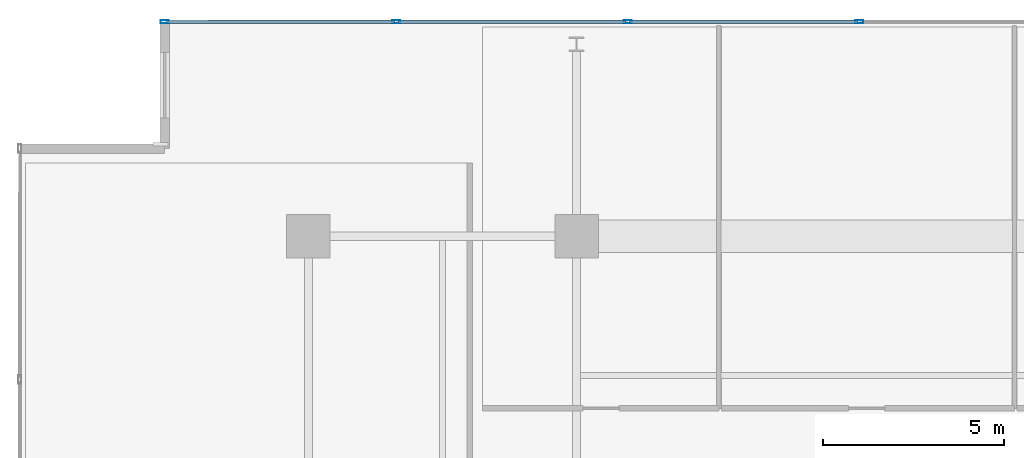
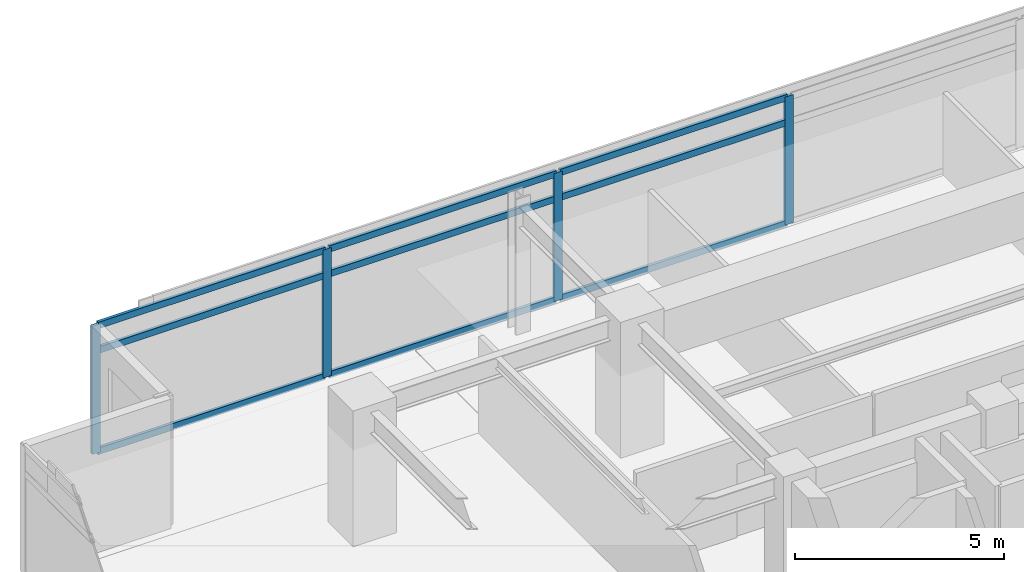
# One storey, part 9 of 24: 13 members, 1 element without a shape of its own.
"""IFC4 building model written with IfcOpenShell, lengths in metres."""

from ifc_helpers import new_model, si_unit, direction, frame, origin, origin_2d, place, context, subcontext, project, spatial, hollow_rectangle, extrude, material, material_profile, profile_set, type_object, element, aggregate, save


model = new_model("IFC4")

# Units and contexts
model_context = context("Model", 3, precision=1e-05, world=origin(), true_north=direction((0.0, 1.0)))
body_context = subcontext(model_context, "Body", "Model", "MODEL_VIEW")
ifc_project = project(units=[si_unit("LENGTHUNIT", "METRE"), si_unit("AREAUNIT", "SQUARE_METRE"), si_unit("VOLUMEUNIT", "CUBIC_METRE"), si_unit("PLANEANGLEUNIT", "RADIAN"), si_unit("MASSUNIT", "GRAM", prefix="KILO")], contexts=[model_context])

# Site, building, storey
site_placement = place(None, origin())
site = spatial("IfcSite", under=ifc_project, at=site_placement, CompositionType="ELEMENT")
building_placement = place(site_placement, origin())
building = spatial("IfcBuilding", under=site, at=building_placement, Name="Kovane Verandah Tower", CompositionType="ELEMENT")
storey_placement = place(building_placement, frame((0.0, 0.0, 259.199951171875)))
storey = spatial("IfcBuildingStorey", under=building, at=storey_placement, Name="L60", CompositionType="ELEMENT", Elevation=259.199951171875)

# Curtain wall, members
ifc_material_1 = material(Name="Champagne Anodised Aluminium Frame with Low-E Clear Laminated Glass", Category="aluminium")
curtain_wall_type = type_object("IfcCurtainWallType", Name="CW-SYS-05-HIGH", PredefinedType="NOTDEFINED", material=ifc_material_1)
curtain_wall_placement = place(storey_placement, origin())
curtain_wall = element("IfcCurtainWall", 1, at=curtain_wall_placement, inside=storey, type_object=curtain_wall_type, Name="L60 N Unitised Curtain Wall", PredefinedType="NOTDEFINED")
ifc_material_2 = material(Name="Champagne Anodised Aluminium 6063-T6", Category="aluminium")
ifc_material_profile_1 = material_profile(ifc_material_2, hollow_rectangle(XDim=0.0849609375, YDim=0.22998046875, WallThickness=0.00390625, at=origin_2d()), Name="AL85x230x4")
ifc_profile_set_1 = profile_set([ifc_material_profile_1], Name="Champagne Anodised Aluminium 6063-T6")
member_type_1 = type_object("IfcMemberType", Name="CW-MUL-85x230", PredefinedType="MULLION", material=ifc_profile_set_1)
member_1_placement = place(storey_placement, frame((36.8046875, 50.1181640625, 0.02001953125), z_axis=(0.0, 0.0, 1.0), x_axis=(0.0, 1.0, 0.0)))
member_1 = element("IfcMember", 2, at=member_1_placement, type_object=member_type_1, Name="L60 N Unitised Curtain Wall Mullion 5", PredefinedType="MULLION", context=body_context, shape_type="SweptSolid", body=[
    extrude(hollow_rectangle(XDim=0.0849609375, YDim=0.22998046875, WallThickness=0.00390625, at=origin_2d()), origin(), (0.0, 0.0, 1.0), 3.7451171875),
])
member_2_placement = place(storey_placement, frame((30.414306640625, 50.1181640625, 0.02001953125), z_axis=(0.0, 0.0, 1.0), x_axis=(0.0, 1.0, 0.0)))
member_2 = element("IfcMember", 3, at=member_2_placement, type_object=member_type_1, Name="L60 N Unitised Curtain Wall Mullion 6", PredefinedType="MULLION", context=body_context, shape_type="SweptSolid", body=[
    extrude(hollow_rectangle(XDim=0.0849609375, YDim=0.22998046875, WallThickness=0.00390625, at=origin_2d()), origin(), (0.0, 0.0, 1.0), 3.7451171875),
])
member_3_placement = place(storey_placement, frame((24.02392578125, 50.1181640625, 0.02001953125), z_axis=(0.0, 0.0, 1.0), x_axis=(0.0, 1.0, 0.0)))
member_3 = element("IfcMember", 4, at=member_3_placement, type_object=member_type_1, Name="L60 N Unitised Curtain Wall Mullion 7", PredefinedType="MULLION", context=body_context, shape_type="SweptSolid", body=[
    extrude(hollow_rectangle(XDim=0.0849609375, YDim=0.22998046875, WallThickness=0.00390625, at=origin_2d()), origin(), (0.0, 0.0, 1.0), 3.7451171875),
])
member_4_placement = place(storey_placement, frame((17.633544921875, 50.1181640625, 0.02001953125), z_axis=(0.0, 0.0, 1.0), x_axis=(0.0, 1.0, 0.0)))
member_4 = element("IfcMember", 5, at=member_4_placement, type_object=member_type_1, Name="L60 N Unitised Curtain Wall Mullion 8", PredefinedType="MULLION", context=body_context, shape_type="SweptSolid", body=[
    extrude(hollow_rectangle(XDim=0.0849609375, YDim=0.22998046875, WallThickness=0.00390625, at=origin_2d()), origin(), (0.0, 0.0, 1.0), 3.7451171875),
])
ifc_material_profile_2 = material_profile(ifc_material_2, hollow_rectangle(XDim=0.0849609375, YDim=0.18994140625, WallThickness=0.00390625, at=origin_2d()), Name="AL85x190x4")
ifc_profile_set_2 = profile_set([ifc_material_profile_2], Name="Champagne Anodised Aluminium 6063-T6")
member_type_2 = type_object("IfcMemberType", Name="CW-TRN-85x190", PredefinedType="USERDEFINED", material=ifc_profile_set_2)
member_5_placement = place(storey_placement, frame((36.7548828125, 50.1181640625, 0.050048828125), z_axis=(-1.0, 0.0, 0.0), x_axis=(0.0, -1.0, 0.0)))
member_5 = element("IfcMember", 6, at=member_5_placement, type_object=member_type_2, Name="L60 N Unitised Curtain Wall Transom TB Bay 5", ObjectType="TRANSOM", PredefinedType="USERDEFINED", context=body_context, shape_type="SweptSolid", body=[
    extrude(hollow_rectangle(XDim=0.0849609375, YDim=0.18994140625, WallThickness=0.00390625, at=origin_2d()), origin(), (0.0, 0.0, 1.0), 6.29052734375),
])
member_6_placement = place(storey_placement, frame((36.7548828125, 50.1181640625, 3.005126953125), z_axis=(-1.0, 0.0, 0.0), x_axis=(0.0, -1.0, 0.0)))
member_6 = element("IfcMember", 7, at=member_6_placement, type_object=member_type_2, Name="L60 N Unitised Curtain Wall Transom TM Bay 5", ObjectType="TRANSOM", PredefinedType="USERDEFINED", context=body_context, shape_type="SweptSolid", body=[
    extrude(hollow_rectangle(XDim=0.0849609375, YDim=0.18994140625, WallThickness=0.00390625, at=origin_2d()), origin(), (0.0, 0.0, 1.0), 6.29052734375),
])
member_7_placement = place(storey_placement, frame((36.7548828125, 50.1181640625, 3.735107421875), z_axis=(-1.0, 0.0, 0.0), x_axis=(0.0, -1.0, 0.0)))
member_7 = element("IfcMember", 8, at=member_7_placement, type_object=member_type_2, Name="L60 N Unitised Curtain Wall Transom TT Bay 5", ObjectType="TRANSOM", PredefinedType="USERDEFINED", context=body_context, shape_type="SweptSolid", body=[
    extrude(hollow_rectangle(XDim=0.0849609375, YDim=0.18994140625, WallThickness=0.00390625, at=origin_2d()), origin(), (0.0, 0.0, 1.0), 6.29052734375),
])
member_8_placement = place(storey_placement, frame((30.364501953125, 50.1181640625, 0.050048828125), z_axis=(-1.0, 0.0, 0.0), x_axis=(0.0, -1.0, 0.0)))
member_8 = element("IfcMember", 9, at=member_8_placement, type_object=member_type_2, Name="L60 N Unitised Curtain Wall Transom TB Bay 6", ObjectType="TRANSOM", PredefinedType="USERDEFINED", context=body_context, shape_type="SweptSolid", body=[
    extrude(hollow_rectangle(XDim=0.0849609375, YDim=0.18994140625, WallThickness=0.00390625, at=origin_2d()), origin(), (0.0, 0.0, 1.0), 6.29052734375),
])
member_9_placement = place(storey_placement, frame((30.364501953125, 50.1181640625, 3.005126953125), z_axis=(-1.0, 0.0, 0.0), x_axis=(0.0, -1.0, 0.0)))
member_9 = element("IfcMember", 10, at=member_9_placement, type_object=member_type_2, Name="L60 N Unitised Curtain Wall Transom TM Bay 6", ObjectType="TRANSOM", PredefinedType="USERDEFINED", context=body_context, shape_type="SweptSolid", body=[
    extrude(hollow_rectangle(XDim=0.0849609375, YDim=0.18994140625, WallThickness=0.00390625, at=origin_2d()), origin(), (0.0, 0.0, 1.0), 6.29052734375),
])
member_10_placement = place(storey_placement, frame((30.364501953125, 50.1181640625, 3.735107421875), z_axis=(-1.0, 0.0, 0.0), x_axis=(0.0, -1.0, 0.0)))
member_10 = element("IfcMember", 11, at=member_10_placement, type_object=member_type_2, Name="L60 N Unitised Curtain Wall Transom TT Bay 6", ObjectType="TRANSOM", PredefinedType="USERDEFINED", context=body_context, shape_type="SweptSolid", body=[
    extrude(hollow_rectangle(XDim=0.0849609375, YDim=0.18994140625, WallThickness=0.00390625, at=origin_2d()), origin(), (0.0, 0.0, 1.0), 6.29052734375),
])
member_11_placement = place(storey_placement, frame((23.973876953125, 50.1181640625, 0.050048828125), z_axis=(-1.0, 0.0, 0.0), x_axis=(0.0, -1.0, 0.0)))
member_11 = element("IfcMember", 12, at=member_11_placement, type_object=member_type_2, Name="L60 N Unitised Curtain Wall Transom TB Bay 7", ObjectType="TRANSOM", PredefinedType="USERDEFINED", context=body_context, shape_type="SweptSolid", body=[
    extrude(hollow_rectangle(XDim=0.0849609375, YDim=0.18994140625, WallThickness=0.00390625, at=origin_2d()), origin(), (0.0, 0.0, 1.0), 6.290283203125),
])
member_12_placement = place(storey_placement, frame((23.973876953125, 50.1181640625, 3.005126953125), z_axis=(-1.0, 0.0, 0.0), x_axis=(0.0, -1.0, 0.0)))
member_12 = element("IfcMember", 13, at=member_12_placement, type_object=member_type_2, Name="L60 N Unitised Curtain Wall Transom TM Bay 7", ObjectType="TRANSOM", PredefinedType="USERDEFINED", context=body_context, shape_type="SweptSolid", body=[
    extrude(hollow_rectangle(XDim=0.0849609375, YDim=0.18994140625, WallThickness=0.00390625, at=origin_2d()), origin(), (0.0, 0.0, 1.0), 6.290283203125),
])
member_13_placement = place(storey_placement, frame((23.973876953125, 50.1181640625, 3.735107421875), z_axis=(-1.0, 0.0, 0.0), x_axis=(0.0, -1.0, 0.0)))
member_13 = element("IfcMember", 14, at=member_13_placement, type_object=member_type_2, Name="L60 N Unitised Curtain Wall Transom TT Bay 7", ObjectType="TRANSOM", PredefinedType="USERDEFINED", context=body_context, shape_type="SweptSolid", body=[
    extrude(hollow_rectangle(XDim=0.0849609375, YDim=0.18994140625, WallThickness=0.00390625, at=origin_2d()), origin(), (0.0, 0.0, 1.0), 6.290283203125),
])
aggregate(curtain_wall, [member_1, member_2, member_3, member_4, member_5, member_6, member_7, member_8, member_9, member_10, member_11, member_12, member_13])

save(model, "model.ifc")
